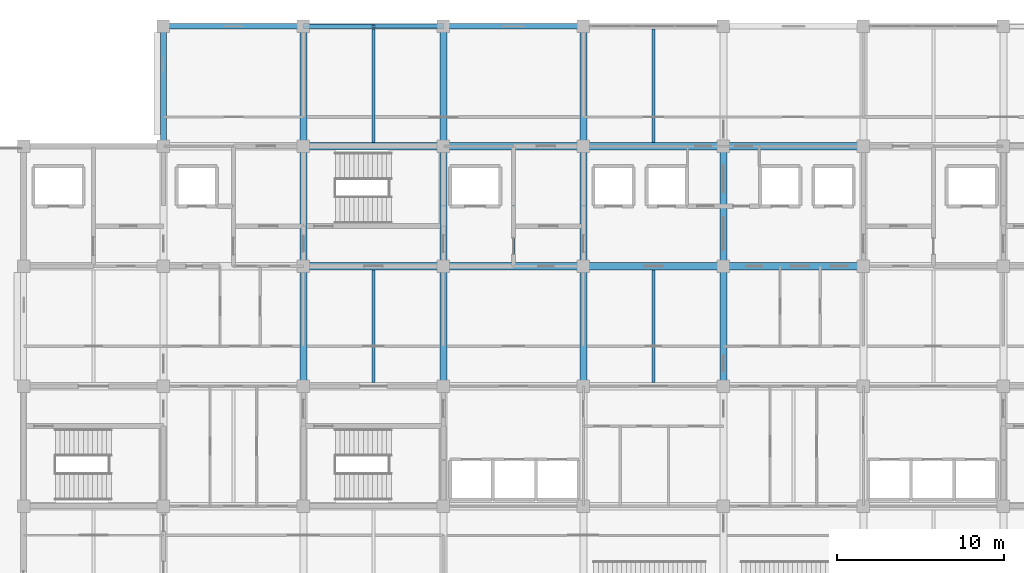
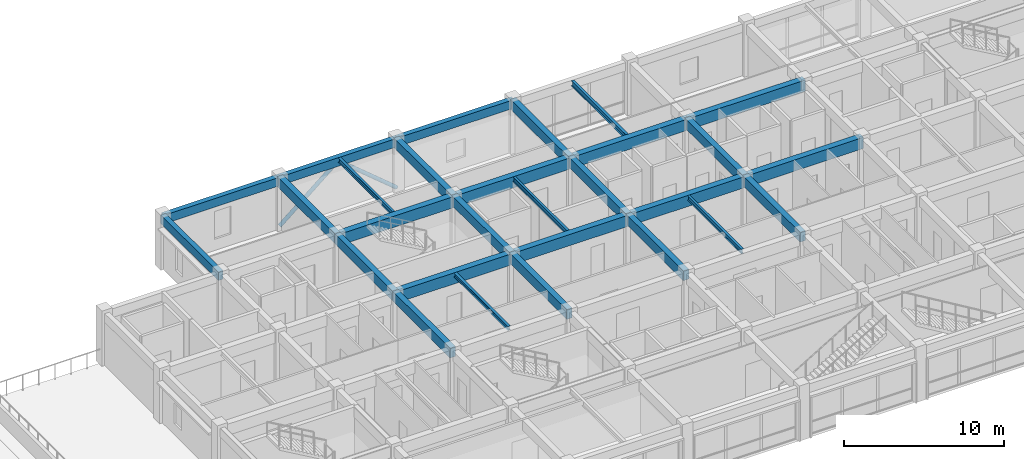
# One storey, part 4 of 27: 28 beams, 2 members.
"""IFC4 building model written with IfcOpenShell, lengths in metres."""

from ifc_helpers import new_model, si_unit, direction, frame, origin, origin_2d, place, context, subcontext, project, spatial, rectangle, hollow_circle, i_section, extrude, material, material_profile, profile_set, type_object, element, save


model = new_model("IFC4")

# Units and contexts
model_context = context("Model", 3, precision=1e-05, world=origin(), true_north=direction((0.0, 1.0)))
body_context = subcontext(model_context, "Body", "Model", "MODEL_VIEW")
ifc_project = project(units=[si_unit("LENGTHUNIT", "METRE"), si_unit("AREAUNIT", "SQUARE_METRE"), si_unit("VOLUMEUNIT", "CUBIC_METRE"), si_unit("PLANEANGLEUNIT", "RADIAN"), si_unit("MASSUNIT", "GRAM", prefix="KILO")], contexts=[model_context])

# Site, building, storey
site_placement = place(None, origin())
site = spatial("IfcSite", under=ifc_project, at=site_placement, CompositionType="ELEMENT")
building_placement = place(site_placement, origin())
building = spatial("IfcBuilding", under=site, at=building_placement, Name="Chengyuan Square Courthouse", CompositionType="ELEMENT")
storey_placement = place(building_placement, frame((0.0, 0.0, 35.10009765625)))
storey = spatial("IfcBuildingStorey", under=building, at=storey_placement, Name="L08", CompositionType="ELEMENT", Elevation=35.10009765625)

# Beams
ifc_material_1 = material(Name="Concrete C40", Category="concrete")
ifc_material_profile_1 = material_profile(ifc_material_1, rectangle(XDim=0.449951171875, YDim=0.85009765625, at=origin_2d()), Name="RC-BM-450x850")
ifc_profile_set_1 = profile_set([ifc_material_profile_1], Name="Concrete C40")
beam_type_1 = type_object("IfcBeamType", Name="BM-01", PredefinedType="USERDEFINED", material=ifc_profile_set_1)
beam_1_placement = place(storey_placement, frame((58.800048828125, 100.800048828125, 3.52490234375), z_axis=(1.0, 0.0, 0.0), x_axis=(0.0, 1.0, 0.0)))
element("IfcBeam", 1, at=beam_1_placement, inside=storey, type_object=beam_type_1, Name="Girder BM-L08-3800", ObjectType="GIRDER", PredefinedType="USERDEFINED", context=body_context, shape_type="SweptSolid", body=[
    extrude(rectangle(XDim=0.449951171875, YDim=0.85009765625, at=origin_2d()), origin(), (0.0, 0.0, 1.0), 8.39990234375),
])
beam_2_placement = place(storey_placement, frame((67.199951171875, 100.800048828125, 3.52490234375), z_axis=(1.0, 0.0, 0.0), x_axis=(0.0, 1.0, 0.0)))
element("IfcBeam", 2, at=beam_2_placement, inside=storey, type_object=beam_type_1, Name="Girder BM-L08-3801", ObjectType="GIRDER", PredefinedType="USERDEFINED", context=body_context, shape_type="SweptSolid", body=[
    extrude(rectangle(XDim=0.449951171875, YDim=0.85009765625, at=origin_2d()), origin(), (0.0, 0.0, 1.0), 8.400146484375),
])
for number, where, z_axis, x_axis, name in (
    (3, (75.60009765625, 100.800048828125, 3.52490234375), (1.0, 0.0, 0.0), (0.0, 1.0, 0.0), "Girder BM-L08-3802"),
    (4, (84.0, 100.800048828125, 3.52490234375), (1.0, 0.0, 0.0), (0.0, 1.0, 0.0), "Girder BM-L08-3803"),
    (5, (58.800048828125, 108.0, 3.52490234375), (1.0, 0.0, 0.0), (0.0, 1.0, 0.0), "Girder BM-L08-3810"),
):
    element("IfcBeam", number, at=place(storey_placement, frame(where, z_axis=z_axis, x_axis=x_axis)), inside=storey, type_object=beam_type_1, Name=name, ObjectType="GIRDER", PredefinedType="USERDEFINED", context=body_context, shape_type="SweptSolid", body=[
        extrude(rectangle(XDim=0.449951171875, YDim=0.85009765625, at=origin_2d()), origin(), (0.0, 0.0, 1.0), 8.39990234375),
    ])
beam_3_placement = place(storey_placement, frame((67.199951171875, 108.0, 3.52490234375), z_axis=(1.0, 0.0, 0.0), x_axis=(0.0, 1.0, 0.0)))
element("IfcBeam", 6, at=beam_3_placement, inside=storey, type_object=beam_type_1, Name="Girder BM-L08-3811", ObjectType="GIRDER", PredefinedType="USERDEFINED", context=body_context, shape_type="SweptSolid", body=[
    extrude(rectangle(XDim=0.449951171875, YDim=0.85009765625, at=origin_2d()), origin(), (0.0, 0.0, 1.0), 8.400146484375),
])
for number, where, z_axis, x_axis, name in (
    (7, (75.60009765625, 108.0, 3.52490234375), (1.0, 0.0, 0.0), (0.0, 1.0, 0.0), "Girder BM-L08-3812"),
    (8, (84.0, 108.0, 3.52490234375), (1.0, 0.0, 0.0), (0.0, 1.0, 0.0), "Girder BM-L08-3813"),
):
    element("IfcBeam", number, at=place(storey_placement, frame(where, z_axis=z_axis, x_axis=x_axis)), inside=storey, type_object=beam_type_1, Name=name, ObjectType="GIRDER", PredefinedType="USERDEFINED", context=body_context, shape_type="SweptSolid", body=[
        extrude(rectangle(XDim=0.449951171875, YDim=0.85009765625, at=origin_2d()), origin(), (0.0, 0.0, 1.0), 8.39990234375),
    ])
ifc_material_profile_2 = material_profile(ifc_material_1, rectangle(XDim=0.39990234375, YDim=0.75, at=origin_2d()), Name="RC-BM-400x750")
ifc_profile_set_2 = profile_set([ifc_material_profile_2], Name="Concrete C40")
beam_type_2 = type_object("IfcBeamType", Name="BM-02", PredefinedType="USERDEFINED", material=ifc_profile_set_2)
for number, where, z_axis, x_axis, name in (
    (9, (58.800048828125, 93.60009765625, 3.574951171875), (0.0, 1.0, 0.0), (-1.0, 0.0, 0.0), "Girder BM-L08-3837"),
    (10, (58.800048828125, 100.800048828125, 3.574951171875), (0.0, 1.0, 0.0), (-1.0, 0.0, 0.0), "Girder BM-L08-3838"),
    (11, (58.800048828125, 108.0, 3.574951171875), (0.0, 1.0, 0.0), (-1.0, 0.0, 0.0), "Girder BM-L08-3839"),
    (12, (67.199951171875, 93.60009765625, 3.574951171875), (0.0, 1.0, 0.0), (-1.0, 0.0, 0.0), "Girder BM-L08-3842"),
    (13, (67.199951171875, 100.800048828125, 3.574951171875), (0.0, 1.0, 0.0), (-1.0, 0.0, 0.0), "Girder BM-L08-3843"),
    (14, (67.199951171875, 108.0, 3.574951171875), (0.0, 1.0, 0.0), (-1.0, 0.0, 0.0), "Girder BM-L08-3844"),
    (15, (75.60009765625, 93.60009765625, 3.574951171875), (0.0, 1.0, 0.0), (-1.0, 0.0, 0.0), "Girder BM-L08-3847"),
    (16, (75.60009765625, 100.800048828125, 3.574951171875), (0.0, 1.0, 0.0), (-1.0, 0.0, 0.0), "Girder BM-L08-3848"),
    (17, (75.60009765625, 108.0, 3.574951171875), (0.0, 1.0, 0.0), (-1.0, 0.0, 0.0), "Girder BM-L08-3849"),
    (18, (84.0, 93.60009765625, 3.574951171875), (0.0, 1.0, 0.0), (-1.0, 0.0, 0.0), "Girder BM-L08-3852"),
    (19, (84.0, 100.800048828125, 3.574951171875), (0.0, 1.0, 0.0), (-1.0, 0.0, 0.0), "Girder BM-L08-3853"),
):
    element("IfcBeam", number, at=place(storey_placement, frame(where, z_axis=z_axis, x_axis=x_axis)), inside=storey, type_object=beam_type_2, Name=name, ObjectType="GIRDER", PredefinedType="USERDEFINED", context=body_context, shape_type="SweptSolid", body=[
        extrude(rectangle(XDim=0.39990234375, YDim=0.75, at=origin_2d()), origin(), (0.0, 0.0, 1.0), 7.199951171875),
    ])
ifc_material_profile_3 = material_profile(ifc_material_1, rectangle(XDim=0.35009765625, YDim=0.64990234375, at=origin_2d()), Name="RC-BM-350x650")
ifc_profile_set_3 = profile_set([ifc_material_profile_3], Name="Concrete C40")
beam_type_3 = type_object("IfcBeamType", Name="BM-03", PredefinedType="SPANDREL", material=ifc_profile_set_3)
beam_4_placement = place(storey_placement, frame((50.39990234375, 115.199951171875, 3.625), z_axis=(1.0, 0.0, 0.0), x_axis=(0.0, 1.0, 0.0)))
element("IfcBeam", 20, at=beam_4_placement, inside=storey, type_object=beam_type_3, Name="Girder BM-L08-3818", PredefinedType="SPANDREL", context=body_context, shape_type="SweptSolid", body=[
    extrude(rectangle(XDim=0.35009765625, YDim=0.64990234375, at=origin_2d()), origin(), (0.0, 0.0, 1.0), 8.400146484375),
])
beam_5_placement = place(storey_placement, frame((58.800048828125, 115.199951171875, 3.625), z_axis=(1.0, 0.0, 0.0), x_axis=(0.0, 1.0, 0.0)))
element("IfcBeam", 21, at=beam_5_placement, inside=storey, type_object=beam_type_3, Name="Girder BM-L08-3819", PredefinedType="SPANDREL", context=body_context, shape_type="SweptSolid", body=[
    extrude(rectangle(XDim=0.35009765625, YDim=0.64990234375, at=origin_2d()), origin(), (0.0, 0.0, 1.0), 8.39990234375),
])
beam_6_placement = place(storey_placement, frame((67.199951171875, 115.199951171875, 3.625), z_axis=(1.0, 0.0, 0.0), x_axis=(0.0, 1.0, 0.0)))
element("IfcBeam", 22, at=beam_6_placement, inside=storey, type_object=beam_type_3, Name="Girder BM-L08-3820", PredefinedType="SPANDREL", context=body_context, shape_type="SweptSolid", body=[
    extrude(rectangle(XDim=0.35009765625, YDim=0.64990234375, at=origin_2d()), origin(), (0.0, 0.0, 1.0), 8.400146484375),
])
beam_7_placement = place(storey_placement, frame((50.39990234375, 108.0, 3.625), z_axis=(0.0, 1.0, 0.0), x_axis=(-1.0, 0.0, 0.0)))
element("IfcBeam", 23, at=beam_7_placement, inside=storey, type_object=beam_type_3, Name="Girder BM-L08-3834", PredefinedType="SPANDREL", context=body_context, shape_type="SweptSolid", body=[
    extrude(rectangle(XDim=0.35009765625, YDim=0.64990234375, at=origin_2d()), origin(), (0.0, 0.0, 1.0), 7.199951171875),
])
ifc_material_2 = material(Name="Steel Q355B", Category="steel")
ifc_material_profile_4 = material_profile(ifc_material_2, i_section(OverallWidth=0.199951171875, OverallDepth=0.39990234375, WebThickness=0.008056640625, FlangeThickness=0.012939453125, at=origin_2d()), Name="HN 400x200x8x13")
ifc_profile_set_4 = profile_set([ifc_material_profile_4], Name="Steel Q355B")
beam_type_4 = type_object("IfcBeamType", Name="BM-07", PredefinedType="BEAM", material=ifc_profile_set_4)
beam_8_placement = place(storey_placement, frame((79.800048828125, 108.22509765625, 3.75), z_axis=(0.0, 1.0, 0.0), x_axis=(-1.0, 0.0, 0.0)))
element("IfcBeam", 24, at=beam_8_placement, inside=storey, type_object=beam_type_4, Name="Secondary Floor Beam SBM-L08-3888", PredefinedType="BEAM", context=body_context, shape_type="SweptSolid", body=[
    extrude(i_section(OverallWidth=0.199951171875, OverallDepth=0.39990234375, WebThickness=0.008056640625, FlangeThickness=0.012939453125, at=origin_2d()), origin(), (0.0, 0.0, 1.0), 6.7998046875),
])
ifc_material_profile_5 = material_profile(ifc_material_2, i_section(OverallWidth=0.175048828125, OverallDepth=0.35009765625, WebThickness=0.007080078125, FlangeThickness=0.010986328125, at=origin_2d()), Name="HN 350x175x7x11")
ifc_profile_set_5 = profile_set([ifc_material_profile_5], Name="Steel Q355B")
beam_type_5 = type_object("IfcBeamType", Name="BM-08", PredefinedType="BEAM", material=ifc_profile_set_5)
beam_9_placement = place(storey_placement, frame((63.0, 108.22509765625, 3.77490234375), z_axis=(0.0, 1.0, 0.0), x_axis=(-1.0, 0.0, 0.0)))
element("IfcBeam", 25, at=beam_9_placement, inside=storey, type_object=beam_type_5, Name="Secondary Floor Beam SBM-L08-3885", PredefinedType="BEAM", context=body_context, shape_type="SweptSolid", body=[
    extrude(i_section(OverallWidth=0.175048828125, OverallDepth=0.35009765625, WebThickness=0.007080078125, FlangeThickness=0.010986328125, at=origin_2d()), origin(), (0.0, 0.0, 1.0), 6.7998046875),
])
for number, where, z_axis, x_axis, name in (
    (26, (71.39990234375, 101.02490234375, 3.77490234375), (0.0, 1.0, 0.0), (-1.0, 0.0, 0.0), "Secondary Floor Beam SBM-L08-3886"),
    (27, (79.800048828125, 93.824951171875, 3.77490234375), (0.0, 1.0, 0.0), (-1.0, 0.0, 0.0), "Secondary Floor Beam SBM-L08-3887"),
):
    element("IfcBeam", number, at=place(storey_placement, frame(where, z_axis=z_axis, x_axis=x_axis)), inside=storey, type_object=beam_type_5, Name=name, PredefinedType="BEAM", context=body_context, shape_type="SweptSolid", body=[
        extrude(i_section(OverallWidth=0.175048828125, OverallDepth=0.35009765625, WebThickness=0.007080078125, FlangeThickness=0.010986328125, at=origin_2d()), origin(), (0.0, 0.0, 1.0), 6.75),
    ])
ifc_material_profile_6 = material_profile(ifc_material_2, i_section(OverallWidth=0.199951171875, OverallDepth=0.300048828125, WebThickness=0.008056640625, FlangeThickness=0.011962890625, at=origin_2d()), Name="HM 300x200x8x12")
ifc_profile_set_6 = profile_set([ifc_material_profile_6], Name="Steel Q355B")
beam_type_6 = type_object("IfcBeamType", Name="BM-09", PredefinedType="BEAM", material=ifc_profile_set_6)
beam_10_placement = place(storey_placement, frame((63.0, 93.824951171875, 3.7998046875), z_axis=(0.0, 1.0, 0.0), x_axis=(-1.0, 0.0, 0.0)))
element("IfcBeam", 28, at=beam_10_placement, inside=storey, type_object=beam_type_6, Name="Secondary Floor Beam SBM-L08-3884", PredefinedType="BEAM", context=body_context, shape_type="SweptSolid", body=[
    extrude(i_section(OverallWidth=0.199951171875, OverallDepth=0.300048828125, WebThickness=0.008056640625, FlangeThickness=0.011962890625, at=origin_2d()), origin(), (0.0, 0.0, 1.0), 6.75),
])

# Members
ifc_material_profile_7 = material_profile(ifc_material_2, hollow_circle(Radius=0.136474609375, WallThickness=0.010009765625, at=origin_2d()), Name="CHS 273x10")
ifc_profile_set_7 = profile_set([ifc_material_profile_7], Name="Steel Q355B")
member_type = type_object("IfcMemberType", Name="BR-01", PredefinedType="BRACE", material=ifc_profile_set_7)
for number, where, z_axis, x_axis, name in (
    (29, (58.800048828125, 115.199951171875, 0.099853515625), (0.768217619255, 0.0, 0.64018879205), (0.0, 1.0, 0.0), "Steel Chevron Brace BR-L08-029"),
    (30, (67.199951171875, 115.199951171875, 0.099853515625), (-0.768217619255, 0.0, 0.64018879205), (0.0, -1.0, 0.0), "Steel Chevron Brace BR-L08-030"),
):
    element("IfcMember", number, at=place(storey_placement, frame(where, z_axis=z_axis, x_axis=x_axis)), inside=storey, type_object=member_type, Name=name, PredefinedType="BRACE", context=body_context, shape_type="SweptSolid", body=[
        extrude(hollow_circle(Radius=0.136474609375, WallThickness=0.010009765625, at=origin_2d()), origin(), (0.0, 0.0, 1.0), 5.467041015625),
    ])

save(model, "model.ifc")
